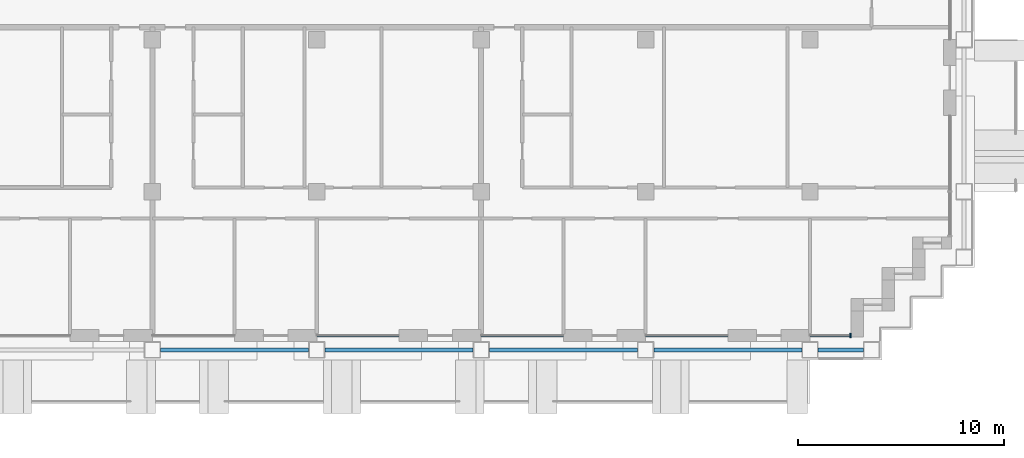
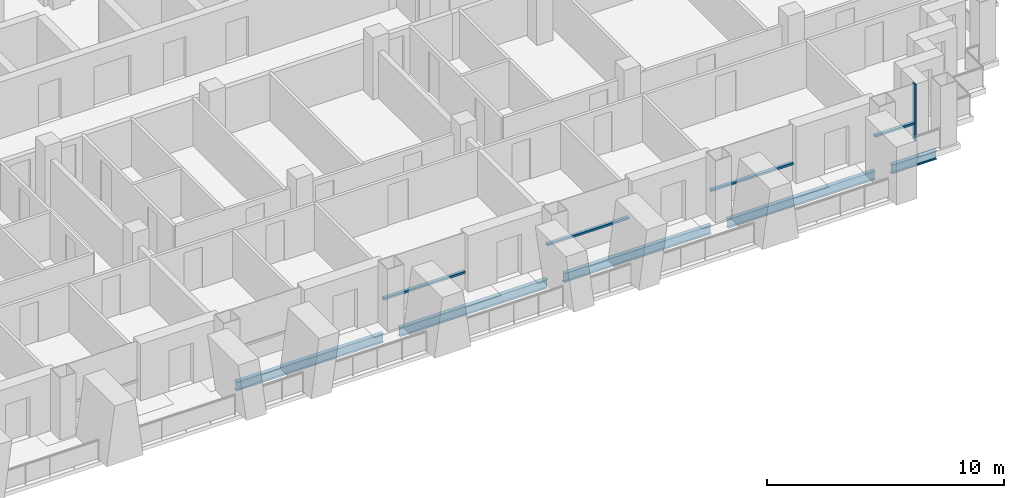
# One storey, part 3 of 16: 5 beams, 5 members, 4 elements without a shape of their own.
"""IFC4 building model written with IfcOpenShell, lengths in metres."""

from ifc_helpers import new_model, si_unit, direction, frame, origin, origin_2d, place, context, subcontext, project, spatial, rectangle, i_section, extrude, material, material_profile, profile_set, type_object, element, aggregate, save


model = new_model("IFC4")

# Units and contexts
model_context = context("Model", 3, precision=1e-05, world=origin(), true_north=direction((0.0, 1.0)))
body_context = subcontext(model_context, "Body", "Model", "MODEL_VIEW")
ifc_project = project(units=[si_unit("LENGTHUNIT", "METRE"), si_unit("AREAUNIT", "SQUARE_METRE"), si_unit("VOLUMEUNIT", "CUBIC_METRE"), si_unit("PLANEANGLEUNIT", "RADIAN"), si_unit("MASSUNIT", "GRAM", prefix="KILO")], contexts=[model_context])

# Site, building, storey
site_placement = place(None, origin())
site = spatial("IfcSite", under=ifc_project, at=site_placement, CompositionType="ELEMENT")
building_placement = place(site_placement, origin())
building = spatial("IfcBuilding", under=site, at=building_placement, Name="Vidyagriha Tower", CompositionType="ELEMENT")
storey_placement = place(building_placement, frame((0.0, 0.0, 132.60009765625)))
storey = spatial("IfcBuildingStorey", under=building, at=storey_placement, Name="L34", CompositionType="ELEMENT", Elevation=132.60009765625)

# Beams
ifc_material_1 = material(Name="Steel ASTM A992 Grade 50", Category="steel")
ifc_material_profile_1 = material_profile(ifc_material_1, i_section(OverallWidth=0.19189453125, OverallDepth=0.46240234375, WebThickness=0.010498046875, FlangeThickness=0.017578125, at=origin_2d()), Name="W18X60")
ifc_profile_set_1 = profile_set([ifc_material_profile_1], Name="Steel ASTM A992 Grade 50")
beam_type = type_object("IfcBeamType", Name="Edge beam W18X60", PredefinedType="SPANDREL", material=ifc_profile_set_1)
for number, where, z_axis, x_axis, name in (
    (1, (-5.60009765625, -17.10009765625, -0.51123046875), (1.0, 0.0, 0.0), (0.0, 1.0, 0.0), "st-beam-L34-S04"),
    (2, (2.39990234375, -17.10009765625, -0.51123046875), (1.0, 0.0, 0.0), (0.0, 1.0, 0.0), "st-beam-L34-S05"),
    (3, (10.39990234375, -17.10009765625, -0.51123046875), (1.0, 0.0, 0.0), (0.0, 1.0, 0.0), "st-beam-L34-S06"),
    (4, (18.39990234375, -17.10009765625, -0.51123046875), (1.0, 0.0, 0.0), (0.0, 1.0, 0.0), "st-beam-L34-S07"),
):
    element("IfcBeam", number, at=place(storey_placement, frame(where, z_axis=z_axis, x_axis=x_axis)), inside=storey, type_object=beam_type, Name=name, PredefinedType="SPANDREL", context=body_context, shape_type="SweptSolid", body=[
        extrude(i_section(OverallWidth=0.19189453125, OverallDepth=0.46240234375, WebThickness=0.010498046875, FlangeThickness=0.017578125, at=origin_2d()), origin(), (0.0, 0.0, 1.0), 7.2001953125),
    ])
beam_placement = place(storey_placement, frame((26.39990234375, -17.10009765625, -0.51123046875), z_axis=(1.0, 0.0, 0.0), x_axis=(0.0, 1.0, 0.0)))
element("IfcBeam", 5, at=beam_placement, inside=storey, type_object=beam_type, Name="st-beam-L34-S08", PredefinedType="SPANDREL", context=body_context, shape_type="SweptSolid", body=[
    extrude(i_section(OverallWidth=0.19189453125, OverallDepth=0.46240234375, WebThickness=0.010498046875, FlangeThickness=0.017578125, at=origin_2d()), origin(), (0.0, 0.0, 1.0), 2.2001953125),
])

# Curtain wall, member
ifc_material_2 = material(Name="Aluminium and glass curtain wall", Category="aluminium")
curtain_wall_type = type_object("IfcCurtainWallType", Name="Dwelling skin unitised curtain wall", PredefinedType="USERDEFINED", material=ifc_material_2)
curtain_wall_1_placement = place(storey_placement, origin())
curtain_wall_1 = element("IfcCurtainWall", 6, at=curtain_wall_1_placement, inside=storey, type_object=curtain_wall_type, Name="CW1 dwelling skin", ObjectType="UNITISED", PredefinedType="USERDEFINED")
ifc_material_3 = material(Name="Aluminium black anodised", Category="aluminium")
ifc_material_profile_2 = material_profile(ifc_material_3, rectangle(XDim=0.199951171875, YDim=0.070068359375, at=origin_2d()), Name="Mullion 70x200 black aluminium")
ifc_profile_set_2 = profile_set([ifc_material_profile_2], Name="Aluminium black anodised")
member_type_1 = type_object("IfcMemberType", Name="Mullion 70x200 black aluminium", PredefinedType="MULLION", material=ifc_profile_set_2)
member_1_placement = place(storey_placement, frame((27.965087890625, -16.39990234375, 0.0), z_axis=(0.0, 0.0, 1.0), x_axis=(0.0, 1.0, 0.0)))
member_1 = element("IfcMember", 7, at=member_1_placement, type_object=member_type_1, Name="CW1 mullion 2", PredefinedType="MULLION", context=body_context, shape_type="SweptSolid", body=[
    extrude(rectangle(XDim=0.199951171875, YDim=0.070068359375, at=origin_2d()), origin(), (0.0, 0.0, 1.0), 2.919921875),
])

curtain_wall_2_placement = place(storey_placement, origin())
curtain_wall_2 = element("IfcCurtainWall", 8, at=curtain_wall_2_placement, inside=storey, type_object=curtain_wall_type, Name="CW1 dwelling skin", ObjectType="UNITISED", PredefinedType="USERDEFINED")
ifc_material_4 = material(Name="Aluminium black anodised", Category="aluminium")
ifc_material_profile_3 = material_profile(ifc_material_4, rectangle(XDim=0.159912109375, YDim=0.10009765625, at=origin_2d()), Name="Transom 100x160 black aluminium")
ifc_profile_set_3 = profile_set([ifc_material_profile_3], Name="Aluminium black anodised")
member_type_2 = type_object("IfcMemberType", Name="Transom 100x160 black aluminium", PredefinedType="USERDEFINED", material=ifc_profile_set_3)
member_2_placement = place(storey_placement, frame((2.0, -16.39990234375, 0.89990234375), z_axis=(1.0, 0.0, 0.0), x_axis=(0.0, 1.0, 0.0)))
member_2 = element("IfcMember", 9, at=member_2_placement, type_object=member_type_2, Name="CW1 transom 1.1", ObjectType="TRANSOM", PredefinedType="USERDEFINED", context=body_context, shape_type="SweptSolid", body=[
    extrude(rectangle(XDim=0.159912109375, YDim=0.10009765625, at=origin_2d()), origin(), (0.0, 0.0, 1.0), 4.0),
])
aggregate(curtain_wall_2, [member_2])

curtain_wall_3_placement = place(storey_placement, origin())
curtain_wall_3 = element("IfcCurtainWall", 10, at=curtain_wall_3_placement, inside=storey, type_object=curtain_wall_type, Name="CW1 dwelling skin", ObjectType="UNITISED", PredefinedType="USERDEFINED")
member_3_placement = place(storey_placement, frame((10.0, -16.39990234375, 0.89990234375), z_axis=(1.0, 0.0, 0.0), x_axis=(0.0, 1.0, 0.0)))
member_3 = element("IfcMember", 11, at=member_3_placement, type_object=member_type_2, Name="CW1 transom 1.1", ObjectType="TRANSOM", PredefinedType="USERDEFINED", context=body_context, shape_type="SweptSolid", body=[
    extrude(rectangle(XDim=0.159912109375, YDim=0.10009765625, at=origin_2d()), origin(), (0.0, 0.0, 1.0), 4.0),
])
aggregate(curtain_wall_3, [member_3])

curtain_wall_4_placement = place(storey_placement, origin())
curtain_wall_4 = element("IfcCurtainWall", 12, at=curtain_wall_4_placement, inside=storey, type_object=curtain_wall_type, Name="CW1 dwelling skin", ObjectType="UNITISED", PredefinedType="USERDEFINED")
member_4_placement = place(storey_placement, frame((18.0, -16.39990234375, 0.89990234375), z_axis=(1.0, 0.0, 0.0), x_axis=(0.0, 1.0, 0.0)))
member_4 = element("IfcMember", 13, at=member_4_placement, type_object=member_type_2, Name="CW1 transom 1.1", ObjectType="TRANSOM", PredefinedType="USERDEFINED", context=body_context, shape_type="SweptSolid", body=[
    extrude(rectangle(XDim=0.159912109375, YDim=0.10009765625, at=origin_2d()), origin(), (0.0, 0.0, 1.0), 4.0),
])
aggregate(curtain_wall_4, [member_4])

# Member
member_5_placement = place(storey_placement, frame((26.0, -16.39990234375, 0.89990234375), z_axis=(1.0, 0.0, 0.0), x_axis=(0.0, 1.0, 0.0)))
member_5 = element("IfcMember", 14, at=member_5_placement, type_object=member_type_2, Name="CW1 transom 1.1", ObjectType="TRANSOM", PredefinedType="USERDEFINED", context=body_context, shape_type="SweptSolid", body=[
    extrude(rectangle(XDim=0.159912109375, YDim=0.10009765625, at=origin_2d()), origin(), (0.0, 0.0, 1.0), 1.929931640625),
])

aggregate(curtain_wall_1, [member_1, member_5])

save(model, "model.ifc")
